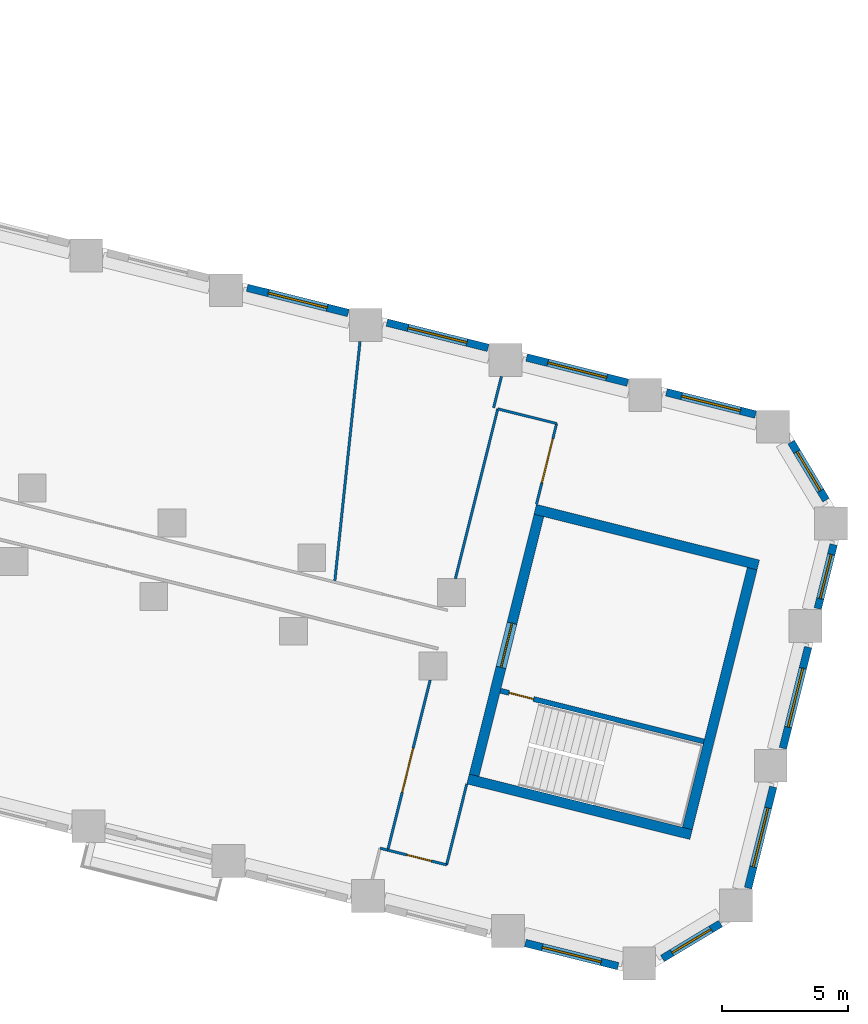
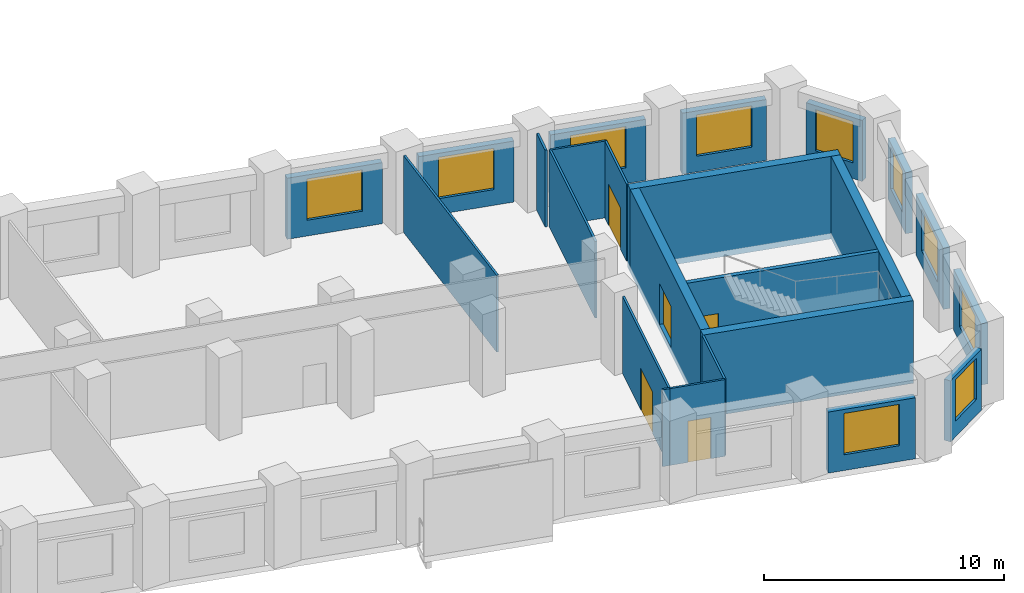
# One storey, part 7 of 11: 24 walls, 10 windows, 5 doors, 15 openings.
"""IFC4 building model written with IfcOpenShell, lengths in metres."""

from ifc_helpers import new_model, si_unit, direction, frame, frame_2d, origin, place, context, subcontext, project, spatial, rectangle, extrude, material, layer, layer_set, type_object, element, fill, save


model = new_model("IFC4")

# Units and contexts
model_context = context("Model", 3, precision=1e-05, world=origin(), true_north=direction((0.0, 1.0)))
body_context = subcontext(model_context, "Body", "Model", "MODEL_VIEW")
ifc_project = project(units=[si_unit("LENGTHUNIT", "METRE"), si_unit("AREAUNIT", "SQUARE_METRE"), si_unit("VOLUMEUNIT", "CUBIC_METRE"), si_unit("PLANEANGLEUNIT", "RADIAN"), si_unit("MASSUNIT", "GRAM", prefix="KILO")], contexts=[model_context])

# Site, building, storey
site_placement = place(None, origin())
site = spatial("IfcSite", under=ifc_project, at=site_placement, CompositionType="ELEMENT")
building_placement = place(site_placement, origin())
building = spatial("IfcBuilding", under=site, at=building_placement, Name="Meshkara Civic Tower", CompositionType="ELEMENT")
storey_placement = place(building_placement, frame((0.0, 0.0, 135.0)))
storey = spatial("IfcBuildingStorey", under=building, at=storey_placement, Name="L30", CompositionType="ELEMENT", Elevation=135.0)

# Wall, opening, door
ifc_material_1 = material(Name="Corridor wall 100")
ifc_layer_1 = layer(ifc_material_1, 0.10009765625)
ifc_layer_set_1 = layer_set([ifc_layer_1], Name="Corridor wall 100")
wall_type_1 = type_object("IfcWallType", Name="Corridor wall 100", PredefinedType="PARTITIONING", material=ifc_layer_set_1)
wall_1_placement = place(storey_placement, frame((67.405029296875, -14.33203125, 0.0), z_axis=(0.0, 0.0, 1.0), x_axis=(0.970256074659, -0.242080874063, 0.0)))
wall_1 = element("IfcWall", 1, at=wall_1_placement, inside=storey, type_object=wall_type_1, Name="L30-W025", PredefinedType="PARTITIONING", context=body_context, shape_type="SweptSolid", body=[
    extrude(rectangle(XDim=2.400146484375, YDim=0.10009765625, at=frame_2d((1.2001953125, 0.0))), origin(), (0.0, 0.0, 1.0), 3.89990234375),
])
opening_1_placement = place(wall_1_placement, frame((0.780029296875, 0.0, 0.0)))
opening_1 = element("IfcOpeningElement", 2, at=opening_1_placement, cuts=wall_1, Name="Opening L30-D001", PredefinedType="OPENING", context=body_context, shape_type="SweptSolid", body=[
    extrude(rectangle(XDim=1.0, YDim=2.10009765625, at=frame_2d((0.5, 1.050048828125))), frame((0.0, 0.06005859375, 0.0), z_axis=(0.0, -1.0, 0.0), x_axis=(1.0, 0.0, 0.0)), (0.0, 0.0, 1.0), 0.1201171875),
])
ifc_material_2 = material(Name="Door 1000 x 2100")
door_type_1 = type_object("IfcDoorType", Name="Door 1000 x 2100", OperationType="SINGLE_SWING_LEFT", PredefinedType="DOOR", material=ifc_material_2)
door_1_placement = place(opening_1_placement, origin())
door_1 = element("IfcDoor", 3, at=door_1_placement, inside=storey, type_object=door_type_1, Name="L30-D001", OperationType="SINGLE_SWING_LEFT", OverallHeight=2.10009765625, OverallWidth=1.0, PredefinedType="DOOR", context=body_context, shape_type="SweptSolid", body=[
    extrude(rectangle(XDim=1.0, YDim=2.10009765625, at=frame_2d((0.5, 1.050048828125))), frame((0.0, 0.02490234375, 0.0), z_axis=(0.0, -1.0, 0.0), x_axis=(1.0, 0.0, 0.0)), (0.0, 0.0, 1.0), 0.050048828125),
])
fill(opening_1, door_1)

wall_2_placement = place(storey_placement, frame((69.083984375, -7.60009765625, 0.0), z_axis=(0.0, 0.0, 1.0), x_axis=(-0.241989134778, -0.970278959191, 0.0)))
wall_2 = element("IfcWall", 4, at=wall_2_placement, inside=storey, type_object=wall_type_1, Name="L30-W026", PredefinedType="PARTITIONING", context=body_context, shape_type="SweptSolid", body=[
    extrude(rectangle(XDim=6.938232421875, YDim=0.10009765625, at=frame_2d((3.46923828125, 0.0))), origin(), (0.0, 0.0, 1.0), 3.89990234375),
])
opening_2_placement = place(wall_2_placement, frame((2.780029296875, 0.0, 0.0)))
opening_2 = element("IfcOpeningElement", 5, at=opening_2_placement, cuts=wall_2, Name="Opening L30-D002", PredefinedType="OPENING", context=body_context, shape_type="SweptSolid", body=[
    extrude(rectangle(XDim=1.800048828125, YDim=2.10009765625, at=frame_2d((0.89990234375, 1.050048828125))), frame((0.0, 0.06005859375, 0.0), z_axis=(0.0, -1.0, 0.0), x_axis=(1.0, 0.0, 0.0)), (0.0, 0.0, 1.0), 0.1201171875),
])
ifc_material_3 = material(Name="Door pair 1800 x 2100")
door_type_2 = type_object("IfcDoorType", Name="Door pair 1800 x 2100", OperationType="SINGLE_SWING_LEFT", PredefinedType="DOOR", material=ifc_material_3)
door_2_placement = place(opening_2_placement, origin())
door_2 = element("IfcDoor", 6, at=door_2_placement, inside=storey, type_object=door_type_2, Name="L30-D002", OperationType="DOUBLE_DOOR_SINGLE_SWING", OverallHeight=2.10009765625, OverallWidth=1.800048828125, PredefinedType="DOOR", context=body_context, shape_type="SweptSolid", body=[
    extrude(rectangle(XDim=1.800048828125, YDim=2.10009765625, at=frame_2d((0.89990234375, 1.050048828125))), frame((0.0, 0.02490234375, 0.0), z_axis=(0.0, -1.0, 0.0), x_axis=(1.0, 0.0, 0.0)), (0.0, 0.0, 1.0), 0.050048828125),
])
fill(opening_2, door_2)

# Walls
wall_3_placement = place(storey_placement, frame((69.73388671875, -14.9130859375, 0.0), z_axis=(0.0, 0.0, 1.0), x_axis=(0.241839284064, 0.97031631991, 0.0)))
element("IfcWall", 7, at=wall_3_placement, inside=storey, type_object=wall_type_1, Name="L30-W027", PredefinedType="PARTITIONING", context=body_context, shape_type="SweptSolid", body=[
    extrude(rectangle(XDim=3.300048828125, YDim=0.10009765625, at=frame_2d((1.64990234375, 0.0))), origin(), (0.0, 0.0, 1.0), 3.89990234375),
])
wall_4_placement = place(storey_placement, frame((71.759033203125, 3.133056640625, 0.0), z_axis=(0.0, 0.0, 1.0), x_axis=(-0.242021590717, -0.970270864051, 0.0)))
element("IfcWall", 8, at=wall_4_placement, inside=storey, type_object=wall_type_1, Name="L30-W028", PredefinedType="PARTITIONING", context=body_context, shape_type="SweptSolid", body=[
    extrude(rectangle(XDim=6.92919921875, YDim=0.10009765625, at=frame_2d((3.464599609375, 0.0))), origin(), (0.0, 0.0, 1.0), 3.89990234375),
])

# Wall, opening, door
wall_5_placement = place(storey_placement, frame((73.2900390625, -0.64990234375, 0.0), z_axis=(0.0, 0.0, 1.0), x_axis=(0.241786986316, 0.970329352977, 0.0)))
wall_5 = element("IfcWall", 9, at=wall_5_placement, inside=storey, type_object=wall_type_1, Name="L30-W029", PredefinedType="PARTITIONING", context=body_context, shape_type="SweptSolid", body=[
    extrude(rectangle(XDim=3.2998046875, YDim=0.10009765625, at=frame_2d((1.64990234375, 0.0))), origin(), (0.0, 0.0, 1.0), 3.89990234375),
])
opening_3_placement = place(wall_5_placement, frame((0.8798828125, 0.0, 0.0)))
opening_3 = element("IfcOpeningElement", 10, at=opening_3_placement, cuts=wall_5, Name="Opening L30-D010", PredefinedType="OPENING", context=body_context, shape_type="SweptSolid", body=[
    extrude(rectangle(XDim=1.800048828125, YDim=2.10009765625, at=frame_2d((0.89990234375, 1.050048828125))), frame((0.0, 0.06005859375, 0.0), z_axis=(0.0, -1.0, 0.0), x_axis=(1.0, 0.0, 0.0)), (0.0, 0.0, 1.0), 0.1201171875),
])
door_3_placement = place(opening_3_placement, origin())
door_3 = element("IfcDoor", 11, at=door_3_placement, inside=storey, type_object=door_type_2, Name="L30-D010", OperationType="DOUBLE_DOOR_SINGLE_SWING", OverallHeight=2.10009765625, OverallWidth=1.800048828125, PredefinedType="DOOR", context=body_context, shape_type="SweptSolid", body=[
    extrude(rectangle(XDim=1.800048828125, YDim=2.10009765625, at=frame_2d((0.89990234375, 1.050048828125))), frame((0.0, 0.02490234375, 0.0), z_axis=(0.0, -1.0, 0.0), x_axis=(1.0, 0.0, 0.0)), (0.0, 0.0, 1.0), 0.050048828125),
])
fill(opening_3, door_3)

# Wall
wall_6_placement = place(storey_placement, frame((74.087890625, 2.552001953125, 0.0), z_axis=(0.0, 0.0, 1.0), x_axis=(-0.970256074659, 0.242080874063, 0.0)))
element("IfcWall", 12, at=wall_6_placement, inside=storey, type_object=wall_type_1, Name="L30-W030", PredefinedType="PARTITIONING", context=body_context, shape_type="SweptSolid", body=[
    extrude(rectangle(XDim=2.400146484375, YDim=0.10009765625, at=frame_2d((1.2001953125, 0.0))), origin(), (0.0, 0.0, 1.0), 3.89990234375),
])

# Wall, opening, window
ifc_material_4 = material(Name="Insulated infill panel with bronze anodised aluminium cladding", Category="aluminium")
ifc_layer_2 = layer(ifc_material_4, 0.300048828125)
ifc_layer_set_2 = layer_set([ifc_layer_2], Name="EXTERNAL INFILL WALL 300")
wall_type_2 = type_object("IfcWallType", Name="EXTERNAL INFILL WALL 300", PredefinedType="SOLIDWALL", material=ifc_layer_set_2)
wall_7_placement = place(storey_placement, frame((81.962890625, 2.906982421875, 0.0), z_axis=(0.0, 0.0, 1.0), x_axis=(-0.970248953144, 0.24210941519, 0.0)))
wall_7 = element("IfcWall", 13, at=wall_7_placement, inside=storey, type_object=wall_type_2, Name="External wall", PredefinedType="SOLIDWALL", context=body_context, shape_type="SweptSolid", body=[
    extrude(rectangle(XDim=3.63916015625, YDim=0.300048828125, at=frame_2d((1.819580078125, 0.0))), origin(), (0.0, 0.0, 1.0), 3.10009765625),
])
opening_4_placement = place(wall_7_placement, frame((0.6201171875, 0.0, 0.800048828125)))
opening_4 = element("IfcOpeningElement", 14, at=opening_4_placement, cuts=wall_7, Name="Opening W7", PredefinedType="OPENING", context=body_context, shape_type="SweptSolid", body=[
    extrude(rectangle(XDim=2.39990234375, YDim=2.10009765625, at=frame_2d((1.199951171875, 1.050048828125))), frame((0.0, 0.159912109375, 0.0), z_axis=(0.0, -1.0, 0.0), x_axis=(1.0, 0.0, 0.0)), (0.0, 0.0, 1.0), 0.320068359375),
])
ifc_material_5 = material(Name="Tinted double glazing", Category="glass")
window_type_1 = type_object("IfcWindowType", Name="WINDOW 2400x2100", PartitioningType="DOUBLE_PANEL_VERTICAL", PredefinedType="WINDOW", material=ifc_material_5)
window_1_placement = place(opening_4_placement, origin())
window_1 = element("IfcWindow", 15, at=window_1_placement, inside=storey, type_object=window_type_1, Name="Window", OverallHeight=2.10009765625, OverallWidth=2.39990234375, PartitioningType="DOUBLE_PANEL_VERTICAL", PredefinedType="WINDOW", context=body_context, shape_type="SweptSolid", body=[
    extrude(rectangle(XDim=2.39990234375, YDim=2.10009765625, at=frame_2d((1.199951171875, 1.050048828125))), frame((0.0, 0.030029296875, 0.0), z_axis=(0.0, -1.0, 0.0), x_axis=(1.0, 0.0, 0.0)), (0.0, 0.0, 1.0), 0.06005859375),
])
fill(opening_4, window_1)

wall_8_placement = place(storey_placement, frame((76.903076171875, 4.1689453125, 0.0), z_axis=(0.0, 0.0, 1.0), x_axis=(-0.970267747908, 0.242034083076, 0.0)))
wall_8 = element("IfcWall", 16, at=wall_8_placement, inside=storey, type_object=wall_type_2, Name="External wall", PredefinedType="SOLIDWALL", context=body_context, shape_type="SweptSolid", body=[
    extrude(rectangle(XDim=4.12353515625, YDim=0.300048828125, at=frame_2d((2.061767578125, 0.0))), origin(), (0.0, 0.0, 1.0), 3.10009765625),
])
opening_5_placement = place(wall_8_placement, frame((0.862060546875, 0.0, 0.800048828125)))
opening_5 = element("IfcOpeningElement", 17, at=opening_5_placement, cuts=wall_8, Name="Opening W7", PredefinedType="OPENING", context=body_context, shape_type="SweptSolid", body=[
    extrude(rectangle(XDim=2.39990234375, YDim=2.10009765625, at=frame_2d((1.199951171875, 1.050048828125))), frame((0.0, 0.159912109375, 0.0), z_axis=(0.0, -1.0, 0.0), x_axis=(1.0, 0.0, 0.0)), (0.0, 0.0, 1.0), 0.320068359375),
])
window_2_placement = place(opening_5_placement, origin())
window_2 = element("IfcWindow", 18, at=window_2_placement, inside=storey, type_object=window_type_1, Name="Window", OverallHeight=2.10009765625, OverallWidth=2.39990234375, PartitioningType="DOUBLE_PANEL_VERTICAL", PredefinedType="WINDOW", context=body_context, shape_type="SweptSolid", body=[
    extrude(rectangle(XDim=2.39990234375, YDim=2.10009765625, at=frame_2d((1.199951171875, 1.050048828125))), frame((0.0, 0.030029296875, 0.0), z_axis=(0.0, -1.0, 0.0), x_axis=(1.0, 0.0, 0.0)), (0.0, 0.0, 1.0), 0.06005859375),
])
fill(opening_5, window_2)

wall_9_placement = place(storey_placement, frame((71.373046875, 5.548095703125, 0.0), z_axis=(0.0, 0.0, 1.0), x_axis=(-0.97029551261, 0.241922752565, 0.0)))
wall_9 = element("IfcWall", 19, at=wall_9_placement, inside=storey, type_object=wall_type_2, Name="External wall", PredefinedType="SOLIDWALL", context=body_context, shape_type="SweptSolid", body=[
    extrude(rectangle(XDim=4.12451171875, YDim=0.300048828125, at=frame_2d((2.062255859375, 0.0))), origin(), (0.0, 0.0, 1.0), 3.10009765625),
])
opening_6_placement = place(wall_9_placement, frame((0.862060546875, 0.0, 0.800048828125)))
opening_6 = element("IfcOpeningElement", 20, at=opening_6_placement, cuts=wall_9, Name="Opening W7", PredefinedType="OPENING", context=body_context, shape_type="SweptSolid", body=[
    extrude(rectangle(XDim=2.39990234375, YDim=2.10009765625, at=frame_2d((1.199951171875, 1.050048828125))), frame((0.0, 0.159912109375, 0.0), z_axis=(0.0, -1.0, 0.0), x_axis=(1.0, 0.0, 0.0)), (0.0, 0.0, 1.0), 0.320068359375),
])
window_3_placement = place(opening_6_placement, origin())
window_3 = element("IfcWindow", 21, at=window_3_placement, inside=storey, type_object=window_type_1, Name="Window", OverallHeight=2.10009765625, OverallWidth=2.39990234375, PartitioningType="DOUBLE_PANEL_VERTICAL", PredefinedType="WINDOW", context=body_context, shape_type="SweptSolid", body=[
    extrude(rectangle(XDim=2.39990234375, YDim=2.10009765625, at=frame_2d((1.199951171875, 1.050048828125))), frame((0.0, 0.030029296875, 0.0), z_axis=(0.0, -1.0, 0.0), x_axis=(1.0, 0.0, 0.0)), (0.0, 0.0, 1.0), 0.06005859375),
])
fill(opening_6, window_3)

wall_10_placement = place(storey_placement, frame((65.842041015625, 6.927001953125, 0.0), z_axis=(0.0, 0.0, 1.0), x_axis=(-0.970281616392, 0.241978480223, 0.0)))
wall_10 = element("IfcWall", 22, at=wall_10_placement, inside=storey, type_object=wall_type_2, Name="External wall", PredefinedType="SOLIDWALL", context=body_context, shape_type="SweptSolid", body=[
    extrude(rectangle(XDim=4.12451171875, YDim=0.300048828125, at=frame_2d((2.062255859375, 0.0))), origin(), (0.0, 0.0, 1.0), 3.10009765625),
])
opening_7_placement = place(wall_10_placement, frame((0.862060546875, 0.0, 0.800048828125)))
opening_7 = element("IfcOpeningElement", 23, at=opening_7_placement, cuts=wall_10, Name="Opening W7", PredefinedType="OPENING", context=body_context, shape_type="SweptSolid", body=[
    extrude(rectangle(XDim=2.39990234375, YDim=2.10009765625, at=frame_2d((1.199951171875, 1.050048828125))), frame((0.0, 0.159912109375, 0.0), z_axis=(0.0, -1.0, 0.0), x_axis=(1.0, 0.0, 0.0)), (0.0, 0.0, 1.0), 0.320068359375),
])
window_4_placement = place(opening_7_placement, origin())
window_4 = element("IfcWindow", 24, at=window_4_placement, inside=storey, type_object=window_type_1, Name="Window", OverallHeight=2.10009765625, OverallWidth=2.39990234375, PartitioningType="DOUBLE_PANEL_VERTICAL", PredefinedType="WINDOW", context=body_context, shape_type="SweptSolid", body=[
    extrude(rectangle(XDim=2.39990234375, YDim=2.10009765625, at=frame_2d((1.199951171875, 1.050048828125))), frame((0.0, 0.030029296875, 0.0), z_axis=(0.0, -1.0, 0.0), x_axis=(1.0, 0.0, 0.0)), (0.0, 0.0, 1.0), 0.06005859375),
])
fill(opening_7, window_4)

wall_11_placement = place(storey_placement, frame((72.85009765625, -18.009033203125, 0.0), z_axis=(0.0, 0.0, 1.0), x_axis=(0.970309295155, -0.241867467295, 0.0)))
wall_11 = element("IfcWall", 25, at=wall_11_placement, inside=storey, type_object=wall_type_2, Name="External wall", PredefinedType="SOLIDWALL", context=body_context, shape_type="SweptSolid", body=[
    extrude(rectangle(XDim=3.783203125, YDim=0.300048828125, at=frame_2d((1.8916015625, 0.0))), origin(), (0.0, 0.0, 1.0), 3.10009765625),
])
opening_8_placement = place(wall_11_placement, frame((0.69189453125, 0.0, 0.800048828125)))
opening_8 = element("IfcOpeningElement", 26, at=opening_8_placement, cuts=wall_11, Name="Opening W7", PredefinedType="OPENING", context=body_context, shape_type="SweptSolid", body=[
    extrude(rectangle(XDim=2.39990234375, YDim=2.10009765625, at=frame_2d((1.199951171875, 1.050048828125))), frame((0.0, 0.159912109375, 0.0), z_axis=(0.0, -1.0, 0.0), x_axis=(1.0, 0.0, 0.0)), (0.0, 0.0, 1.0), 0.320068359375),
])
window_5_placement = place(opening_8_placement, origin())
window_5 = element("IfcWindow", 27, at=window_5_placement, inside=storey, type_object=window_type_1, Name="Window", OverallHeight=2.10009765625, OverallWidth=2.39990234375, PartitioningType="DOUBLE_PANEL_VERTICAL", PredefinedType="WINDOW", context=body_context, shape_type="SweptSolid", body=[
    extrude(rectangle(XDim=2.39990234375, YDim=2.10009765625, at=frame_2d((1.199951171875, 1.050048828125))), frame((0.0, 0.030029296875, 0.0), z_axis=(0.0, -1.0, 0.0), x_axis=(1.0, 0.0, 0.0)), (0.0, 0.0, 1.0), 0.06005859375),
])
fill(opening_8, window_5)

wall_12_placement = place(storey_placement, frame((78.277099609375, -18.62109375, 0.0), z_axis=(0.0, 0.0, 1.0), x_axis=(0.857066424989, 0.515205923061, 0.0)))
wall_12 = element("IfcWall", 28, at=wall_12_placement, inside=storey, type_object=wall_type_2, Name="External wall", PredefinedType="SOLIDWALL", context=body_context, shape_type="SweptSolid", body=[
    extrude(rectangle(XDim=2.6787109375, YDim=0.300048828125, at=frame_2d((1.33935546875, 0.0))), origin(), (0.0, 0.0, 1.0), 3.10009765625),
])
opening_9_placement = place(wall_12_placement, frame((0.43896484375, 0.0, 0.800048828125)))
opening_9 = element("IfcOpeningElement", 29, at=opening_9_placement, cuts=wall_12, Name="Opening W9", PredefinedType="OPENING", context=body_context, shape_type="SweptSolid", body=[
    extrude(rectangle(XDim=1.800048828125, YDim=2.10009765625, at=frame_2d((0.89990234375, 1.050048828125))), frame((0.0, 0.159912109375, 0.0), z_axis=(0.0, -1.0, 0.0), x_axis=(1.0, 0.0, 0.0)), (0.0, 0.0, 1.0), 0.320068359375),
])
ifc_material_6 = material(Name="Tinted double glazing", Category="glass")
window_type_2 = type_object("IfcWindowType", Name="WINDOW 1800x2100", PartitioningType="DOUBLE_PANEL_VERTICAL", PredefinedType="WINDOW", material=ifc_material_6)
window_6_placement = place(opening_9_placement, origin())
window_6 = element("IfcWindow", 30, at=window_6_placement, inside=storey, type_object=window_type_2, Name="Window", OverallHeight=2.10009765625, OverallWidth=1.800048828125, PartitioningType="DOUBLE_PANEL_VERTICAL", PredefinedType="WINDOW", context=body_context, shape_type="SweptSolid", body=[
    extrude(rectangle(XDim=1.800048828125, YDim=2.10009765625, at=frame_2d((0.89990234375, 1.050048828125))), frame((0.0, 0.030029296875, 0.0), z_axis=(0.0, -1.0, 0.0), x_axis=(1.0, 0.0, 0.0)), (0.0, 0.0, 1.0), 0.06005859375),
])
fill(opening_9, window_6)

wall_13_placement = place(storey_placement, frame((81.6650390625, -15.83203125, 0.0), z_axis=(0.0, 0.0, 1.0), x_axis=(0.241978480223, 0.970281616392, 0.0)))
wall_13 = element("IfcWall", 31, at=wall_13_placement, inside=storey, type_object=wall_type_2, Name="External wall", PredefinedType="SOLIDWALL", context=body_context, shape_type="SweptSolid", body=[
    extrude(rectangle(XDim=4.12451171875, YDim=0.300048828125, at=frame_2d((2.062255859375, 0.0))), origin(), (0.0, 0.0, 1.0), 3.10009765625),
])
opening_10_placement = place(wall_13_placement, frame((0.862060546875, 0.0, 0.800048828125)))
opening_10 = element("IfcOpeningElement", 32, at=opening_10_placement, cuts=wall_13, Name="Opening W7", PredefinedType="OPENING", context=body_context, shape_type="SweptSolid", body=[
    extrude(rectangle(XDim=2.39990234375, YDim=2.10009765625, at=frame_2d((1.199951171875, 1.050048828125))), frame((0.0, 0.159912109375, 0.0), z_axis=(0.0, -1.0, 0.0), x_axis=(1.0, 0.0, 0.0)), (0.0, 0.0, 1.0), 0.320068359375),
])
window_7_placement = place(opening_10_placement, origin())
window_7 = element("IfcWindow", 33, at=window_7_placement, inside=storey, type_object=window_type_1, Name="Window", OverallHeight=2.10009765625, OverallWidth=2.39990234375, PartitioningType="DOUBLE_PANEL_VERTICAL", PredefinedType="WINDOW", context=body_context, shape_type="SweptSolid", body=[
    extrude(rectangle(XDim=2.39990234375, YDim=2.10009765625, at=frame_2d((1.199951171875, 1.050048828125))), frame((0.0, 0.030029296875, 0.0), z_axis=(0.0, -1.0, 0.0), x_axis=(1.0, 0.0, 0.0)), (0.0, 0.0, 1.0), 0.06005859375),
])
fill(opening_10, window_7)

wall_14_placement = place(storey_placement, frame((83.0439453125, -10.301025390625, 0.0), z_axis=(0.0, 0.0, 1.0), x_axis=(0.242034083076, 0.970267747908, 0.0)))
wall_14 = element("IfcWall", 34, at=wall_14_placement, inside=storey, type_object=wall_type_2, Name="External wall", PredefinedType="SOLIDWALL", context=body_context, shape_type="SweptSolid", body=[
    extrude(rectangle(XDim=4.12353515625, YDim=0.300048828125, at=frame_2d((2.061767578125, 0.0))), origin(), (0.0, 0.0, 1.0), 3.10009765625),
])
opening_11_placement = place(wall_14_placement, frame((0.862060546875, 0.0, 0.800048828125)))
opening_11 = element("IfcOpeningElement", 35, at=opening_11_placement, cuts=wall_14, Name="Opening W7", PredefinedType="OPENING", context=body_context, shape_type="SweptSolid", body=[
    extrude(rectangle(XDim=2.39990234375, YDim=2.10009765625, at=frame_2d((1.199951171875, 1.050048828125))), frame((0.0, 0.159912109375, 0.0), z_axis=(0.0, -1.0, 0.0), x_axis=(1.0, 0.0, 0.0)), (0.0, 0.0, 1.0), 0.320068359375),
])
window_8_placement = place(opening_11_placement, origin())
window_8 = element("IfcWindow", 36, at=window_8_placement, inside=storey, type_object=window_type_1, Name="Window", OverallHeight=2.10009765625, OverallWidth=2.39990234375, PartitioningType="DOUBLE_PANEL_VERTICAL", PredefinedType="WINDOW", context=body_context, shape_type="SweptSolid", body=[
    extrude(rectangle(XDim=2.39990234375, YDim=2.10009765625, at=frame_2d((1.199951171875, 1.050048828125))), frame((0.0, 0.030029296875, 0.0), z_axis=(0.0, -1.0, 0.0), x_axis=(1.0, 0.0, 0.0)), (0.0, 0.0, 1.0), 0.06005859375),
])
fill(opening_11, window_8)

wall_15_placement = place(storey_placement, frame((84.423095703125, -4.77099609375, 0.0), z_axis=(0.0, 0.0, 1.0), x_axis=(0.241941668773, 0.970290796056, 0.0)))
wall_15 = element("IfcWall", 37, at=wall_15_placement, inside=storey, type_object=wall_type_2, Name="External wall", PredefinedType="SOLIDWALL", context=body_context, shape_type="SweptSolid", body=[
    extrude(rectangle(XDim=2.611572265625, YDim=0.300048828125, at=frame_2d((1.3056640625, 0.0))), origin(), (0.0, 0.0, 1.0), 3.10009765625),
])
opening_12_placement = place(wall_15_placement, frame((0.406005859375, 0.0, 0.800048828125)))
opening_12 = element("IfcOpeningElement", 38, at=opening_12_placement, cuts=wall_15, Name="Opening W9", PredefinedType="OPENING", context=body_context, shape_type="SweptSolid", body=[
    extrude(rectangle(XDim=1.800048828125, YDim=2.10009765625, at=frame_2d((0.89990234375, 1.050048828125))), frame((0.0, 0.159912109375, 0.0), z_axis=(0.0, -1.0, 0.0), x_axis=(1.0, 0.0, 0.0)), (0.0, 0.0, 1.0), 0.320068359375),
])
window_9_placement = place(opening_12_placement, origin())
window_9 = element("IfcWindow", 39, at=window_9_placement, inside=storey, type_object=window_type_2, Name="Window", OverallHeight=2.10009765625, OverallWidth=1.800048828125, PartitioningType="DOUBLE_PANEL_VERTICAL", PredefinedType="WINDOW", context=body_context, shape_type="SweptSolid", body=[
    extrude(rectangle(XDim=1.800048828125, YDim=2.10009765625, at=frame_2d((0.89990234375, 1.050048828125))), frame((0.0, 0.030029296875, 0.0), z_axis=(0.0, -1.0, 0.0), x_axis=(1.0, 0.0, 0.0)), (0.0, 0.0, 1.0), 0.06005859375),
])
fill(opening_12, window_9)

wall_16_placement = place(storey_placement, frame((84.751953125, -0.48095703125, 0.0), z_axis=(0.0, 0.0, 1.0), x_axis=(-0.515138971391, 0.857106667898, 0.0)))
wall_16 = element("IfcWall", 40, at=wall_16_placement, inside=storey, type_object=wall_type_2, Name="External wall", PredefinedType="SOLIDWALL", context=body_context, shape_type="SweptSolid", body=[
    extrude(rectangle(XDim=2.6787109375, YDim=0.300048828125, at=frame_2d((1.33935546875, 0.0))), origin(), (0.0, 0.0, 1.0), 3.10009765625),
])
opening_13_placement = place(wall_16_placement, frame((0.43896484375, 0.0, 0.800048828125)))
opening_13 = element("IfcOpeningElement", 41, at=opening_13_placement, cuts=wall_16, Name="Opening W9", PredefinedType="OPENING", context=body_context, shape_type="SweptSolid", body=[
    extrude(rectangle(XDim=1.800048828125, YDim=2.10009765625, at=frame_2d((0.89990234375, 1.050048828125))), frame((0.0, 0.159912109375, 0.0), z_axis=(0.0, -1.0, 0.0), x_axis=(1.0, 0.0, 0.0)), (0.0, 0.0, 1.0), 0.320068359375),
])
window_10_placement = place(opening_13_placement, origin())
window_10 = element("IfcWindow", 42, at=window_10_placement, inside=storey, type_object=window_type_2, Name="Window", OverallHeight=2.10009765625, OverallWidth=1.800048828125, PartitioningType="DOUBLE_PANEL_VERTICAL", PredefinedType="WINDOW", context=body_context, shape_type="SweptSolid", body=[
    extrude(rectangle(XDim=1.800048828125, YDim=2.10009765625, at=frame_2d((0.89990234375, 1.050048828125))), frame((0.0, 0.030029296875, 0.0), z_axis=(0.0, -1.0, 0.0), x_axis=(1.0, 0.0, 0.0)), (0.0, 0.0, 1.0), 0.06005859375),
])
fill(opening_13, window_10)

# Walls
ifc_material_7 = material(Name="Concrete C70", Category="concrete")
ifc_layer_3 = layer(ifc_material_7, 0.39990234375)
ifc_layer_set_3 = layer_set([ifc_layer_3], Name="End core ring wall 400 C70")
wall_type_3 = type_object("IfcWallType", Name="End core ring wall 400 C70", PredefinedType="SHEAR", material=ifc_layer_set_3)
for number, where, z_axis, x_axis, name in (
    (43, (70.580078125, -11.51708984375, -0.300048828125), (0.0, 0.0, 1.0), (0.970285938441, -0.241961149081, 0.0), "L30-C030"),
    (44, (73.240966796875, -0.843994140625, -0.300048828125), (0.0, 0.0, 1.0), (0.970312696888, -0.241853820019, 0.0), "L30-C031"),
):
    element("IfcWall", number, at=place(storey_placement, frame(where, z_axis=z_axis, x_axis=x_axis)), inside=storey, type_object=wall_type_3, Name=name, PredefinedType="SHEAR", context=body_context, shape_type="SweptSolid", body=[
        extrude(rectangle(XDim=9.100341796875, YDim=0.39990234375, at=frame_2d((4.55029296875, 0.0))), origin(), (0.0, 0.0, 1.0), 4.199951171875),
    ])

# Wall, opening, door
wall_17_placement = place(storey_placement, frame((70.822998046875, -11.37109375, -0.300048828125), z_axis=(0.0, 0.0, 1.0), x_axis=(0.241885246693, 0.97030486314, 0.0)))
wall_17 = element("IfcWall", 45, at=wall_17_placement, inside=storey, type_object=wall_type_3, Name="L30-C032", PredefinedType="SHEAR", context=body_context, shape_type="SweptSolid", body=[
    extrude(rectangle(XDim=10.599853515625, YDim=0.39990234375, at=frame_2d((5.2998046875, 0.0))), origin(), (0.0, 0.0, 1.0), 4.199951171875),
])
opening_14_placement = place(wall_17_placement, frame((4.39990234375, 0.0, 0.300048828125)))
opening_14 = element("IfcOpeningElement", 46, at=opening_14_placement, cuts=wall_17, Name="Opening L30-K202", PredefinedType="OPENING", context=body_context, shape_type="SweptSolid", body=[
    extrude(rectangle(XDim=1.800048828125, YDim=2.10009765625, at=frame_2d((0.89990234375, 1.050048828125))), frame((0.0, 0.2099609375, 0.0), z_axis=(0.0, -1.0, 0.0), x_axis=(1.0, 0.0, 0.0)), (0.0, 0.0, 1.0), 0.419921875),
])
ifc_material_8 = material(Name="Fire-rated door leaf in steel frame", Category="steel")
door_type_3 = type_object("IfcDoorType", Name="Core double door 1800 EI 60", OperationType="DOUBLE_DOOR_SINGLE_SWING", PredefinedType="DOOR", material=ifc_material_8)
door_4_placement = place(opening_14_placement, origin())
door_4 = element("IfcDoor", 47, at=door_4_placement, inside=storey, type_object=door_type_3, Name="L30-K202", OperationType="DOUBLE_DOOR_SINGLE_SWING", OverallHeight=2.10009765625, OverallWidth=1.800048828125, PredefinedType="DOOR", context=body_context, shape_type="SweptSolid", body=[
    extrude(rectangle(XDim=1.800048828125, YDim=2.10009765625, at=frame_2d((0.89990234375, 1.050048828125))), frame((0.0, 0.02490234375, 0.0), z_axis=(0.0, -1.0, 0.0), x_axis=(1.0, 0.0, 0.0)), (0.0, 0.0, 1.0), 0.050048828125),
])
fill(opening_14, door_4)

# Walls
wall_18_placement = place(storey_placement, frame((79.263916015625, -13.47607421875, -0.300048828125), z_axis=(0.0, 0.0, 1.0), x_axis=(0.241993665753, 0.970277829148, 0.0)))
element("IfcWall", 48, at=wall_18_placement, inside=storey, type_object=wall_type_3, Name="L30-C033", PredefinedType="SHEAR", context=body_context, shape_type="SweptSolid", body=[
    extrude(rectangle(XDim=10.60009765625, YDim=0.39990234375, at=frame_2d((5.300048828125, 0.0))), origin(), (0.0, 0.0, 1.0), 4.199951171875),
])
ifc_material_9 = material(Name="Partition 100")
ifc_layer_4 = layer(ifc_material_9, 0.10009765625)
ifc_layer_set_4 = layer_set([ifc_layer_4], Name="Partition 100")
wall_type_4 = type_object("IfcWallType", Name="Partition 100", PredefinedType="PARTITIONING", material=ifc_layer_set_4)
wall_19_placement = place(storey_placement, frame((65.31103515625, -3.6689453125, 0.0), z_axis=(0.0, 0.0, 1.0), x_axis=(0.104547226463, 0.994519923098, 0.0)))
element("IfcWall", 49, at=wall_19_placement, inside=storey, type_object=wall_type_4, Name="L30-W049", PredefinedType="PARTITIONING", context=body_context, shape_type="SweptSolid", body=[
    extrude(rectangle(XDim=9.51611328125, YDim=0.10009765625, at=frame_2d((4.758056640625, 0.0))), origin(), (0.0, 0.0, 1.0), 3.89990234375),
])
wall_20_placement = place(storey_placement, frame((67.09912109375, -14.256103515625, 0.0), z_axis=(0.0, 0.0, 1.0), x_axis=(0.970546048538, -0.240915685807, 0.0)))
element("IfcWall", 50, at=wall_20_placement, inside=storey, type_object=wall_type_4, Name="L30-W051", PredefinedType="PARTITIONING", context=body_context, shape_type="SweptSolid", body=[
    extrude(rectangle(XDim=0.3193359375, YDim=0.10009765625, at=frame_2d((0.15966796875, 0.0))), origin(), (0.0, 0.0, 1.0), 3.89990234375),
])
wall_21_placement = place(storey_placement, frame((71.593017578125, 3.174072265625, 0.0), z_axis=(0.0, 0.0, 1.0), x_axis=(0.242221476086, 0.970220983345, 0.0)))
element("IfcWall", 51, at=wall_21_placement, inside=storey, type_object=wall_type_4, Name="L30-W052", PredefinedType="PARTITIONING", context=body_context, shape_type="SweptSolid", body=[
    extrude(rectangle(XDim=1.280029296875, YDim=0.10009765625, at=frame_2d((0.64013671875, 0.0))), origin(), (0.0, 0.0, 1.0), 3.89990234375),
])

# Wall, opening, door
ifc_material_10 = material(Name="Concrete C40/50", Category="concrete")
ifc_layer_5 = layer(ifc_material_10, 0.199951171875)
ifc_layer_set_5 = layer_set([ifc_layer_5], Name="Stair enclosure wall 200 C40/50")
wall_type_5 = type_object("IfcWallType", Name="Stair enclosure wall 200 C40/50", PredefinedType="SOLIDWALL", material=ifc_layer_set_5)
wall_22_placement = place(storey_placement, frame((71.864013671875, -8.02392578125, 0.0), z_axis=(0.0, 0.0, 1.0), x_axis=(0.970289402158, -0.241947258837, 0.0)))
wall_22 = element("IfcWall", 52, at=wall_22_placement, inside=storey, type_object=wall_type_5, Name="L30-C034", PredefinedType="SOLIDWALL", context=body_context, shape_type="SweptSolid", body=[
    extrude(rectangle(XDim=8.299560546875, YDim=0.199951171875, at=frame_2d((4.14990234375, 0.0))), origin(), (0.0, 0.0, 1.0), 3.89990234375),
])
opening_15_placement = place(wall_22_placement, frame((0.35009765625, 0.0, 0.0)))
opening_15 = element("IfcOpeningElement", 53, at=opening_15_placement, cuts=wall_22, Name="Opening L30-K201", PredefinedType="OPENING", context=body_context, shape_type="SweptSolid", body=[
    extrude(rectangle(XDim=1.0, YDim=2.10009765625, at=frame_2d((0.5, 1.050048828125))), frame((0.0, 0.10986328125, 0.0), z_axis=(0.0, -1.0, 0.0), x_axis=(1.0, 0.0, 0.0)), (0.0, 0.0, 1.0), 0.219970703125),
])
ifc_material_11 = material(Name="Fire-rated door leaf in steel frame", Category="steel")
door_type_4 = type_object("IfcDoorType", Name="Stair door 1000 EI 120", OperationType="SINGLE_SWING_LEFT", PredefinedType="DOOR", material=ifc_material_11)
door_5_placement = place(opening_15_placement, origin())
door_5 = element("IfcDoor", 54, at=door_5_placement, inside=storey, type_object=door_type_4, Name="L30-K201", OperationType="SINGLE_SWING_LEFT", OverallHeight=2.10009765625, OverallWidth=1.0, PredefinedType="DOOR", context=body_context, shape_type="SweptSolid", body=[
    extrude(rectangle(XDim=1.0, YDim=2.10009765625, at=frame_2d((0.5, 1.050048828125))), frame((0.0, 0.02490234375, 0.0), z_axis=(0.0, -1.0, 0.0), x_axis=(1.0, 0.0, 0.0)), (0.0, 0.0, 1.0), 0.050048828125),
])
fill(opening_15, door_5)

save(model, "model.ifc")
